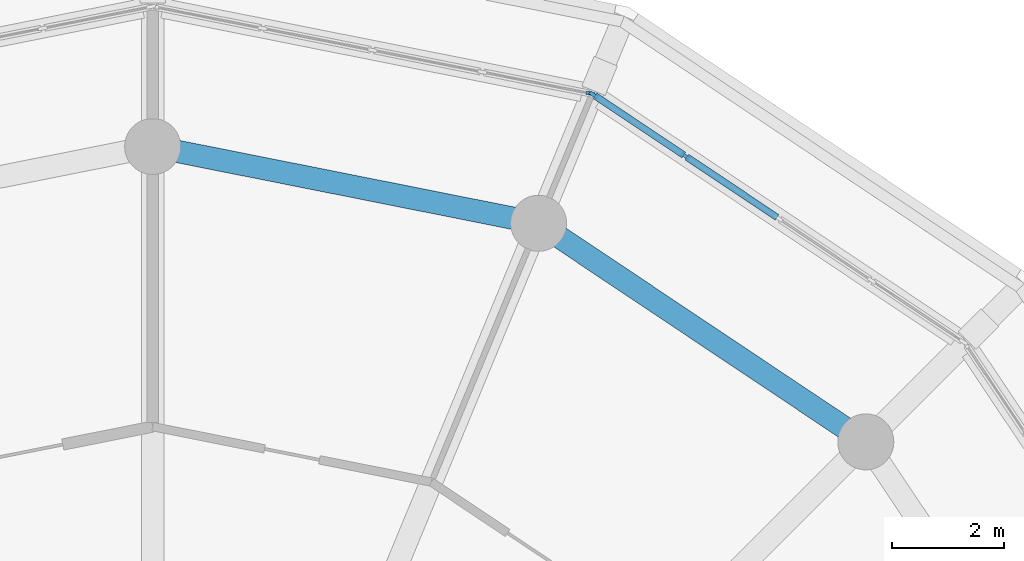
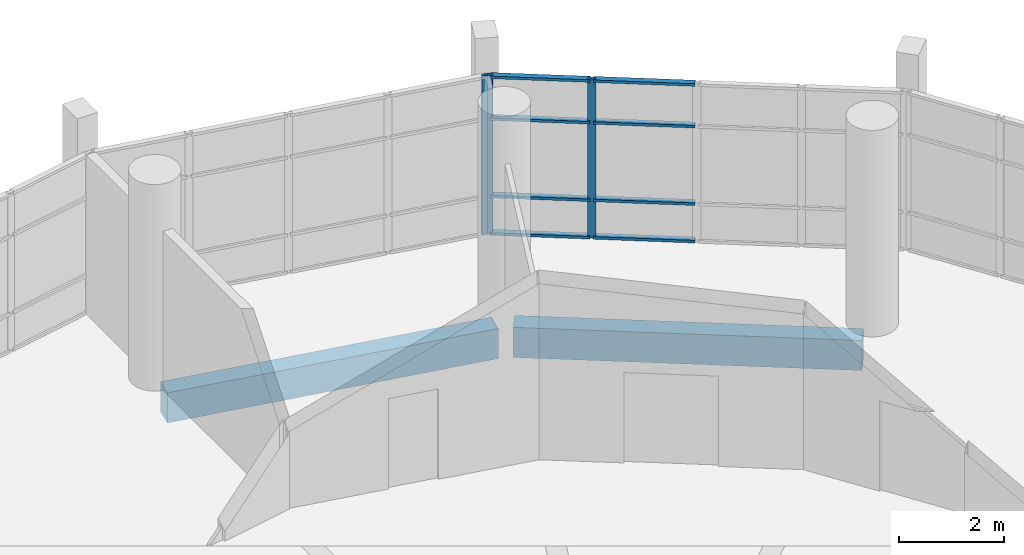
# One storey, part 8 of 40: 11 members, 2 beams, 2 elements without a shape of their own.
"""IFC4 building model written with IfcOpenShell, lengths in metres."""

from ifc_helpers import new_model, si_unit, direction, frame, origin, origin_2d, place, context, subcontext, project, spatial, rectangle, extrude, material, material_profile, profile_set, type_object, element, aggregate, save


model = new_model("IFC4")

# Units and contexts
model_context = context("Model", 3, precision=1e-05, world=origin(), true_north=direction((0.0, 1.0)))
body_context = subcontext(model_context, "Body", "Model", "MODEL_VIEW")
ifc_project = project(units=[si_unit("LENGTHUNIT", "METRE"), si_unit("AREAUNIT", "SQUARE_METRE"), si_unit("VOLUMEUNIT", "CUBIC_METRE"), si_unit("PLANEANGLEUNIT", "RADIAN"), si_unit("MASSUNIT", "GRAM", prefix="KILO")], contexts=[model_context])

# Site, building, storey
site_placement = place(None, origin())
site = spatial("IfcSite", under=ifc_project, at=site_placement, CompositionType="ELEMENT")
building_placement = place(site_placement, origin())
building = spatial("IfcBuilding", under=site, at=building_placement, Name="Ceibo Conservatory and Research Tower", CompositionType="ELEMENT")
storey_placement = place(building_placement, frame((0.0, 0.0, 6.0)))
storey = spatial("IfcBuildingStorey", under=building, at=storey_placement, Name="L01", CompositionType="ELEMENT", Elevation=6.0)

# Curtain wall, members
ifc_material_1 = material(Name="Aluminium and glass", Category="aluminium")
curtain_wall_type = type_object("IfcCurtainWallType", Name="Curtain wall CW1", PredefinedType="NOTDEFINED", material=ifc_material_1)
curtain_wall_1_placement = place(storey_placement, origin())
curtain_wall_1 = element("IfcCurtainWall", 1, at=curtain_wall_1_placement, inside=storey, type_object=curtain_wall_type, Name="CW-01.03", PredefinedType="NOTDEFINED")
ifc_material_2 = material(Name="Aluminium", Category="aluminium")
ifc_material_profile_1 = material_profile(ifc_material_2, rectangle(XDim=0.06005859375, YDim=0.159912109375, at=origin_2d()), Name="Aluminium 60 x 160")
ifc_profile_set_1 = profile_set([ifc_material_profile_1], Name="Aluminium")
member_type_1 = type_object("IfcMemberType", Name="Aluminium mullion 60 x 160", PredefinedType="MULLION", material=ifc_profile_set_1)
member_1_placement = place(storey_placement, frame((57.507568359375, 137.82861328125, 0.0), z_axis=(0.0, 0.0, 1.0), x_axis=(-0.555570178092, -0.831469649004, 0.0)))
member_1 = element("IfcMember", 2, at=member_1_placement, type_object=member_type_1, Name="CW-01.03 mullion 4", PredefinedType="MULLION", context=body_context, shape_type="SweptSolid", body=[
    extrude(rectangle(XDim=0.06005859375, YDim=0.159912109375, at=origin_2d()), origin(), (0.0, 0.0, 1.0), 3.699951171875),
])
member_2_placement = place(storey_placement, frame((55.869873046875, 138.9228515625, 0.0), z_axis=(0.0, 0.0, 1.0), x_axis=(-0.555570178092, -0.831469649004, 0.0)))
member_2 = element("IfcMember", 3, at=member_2_placement, type_object=member_type_1, Name="CW-01.03 mullion 5", PredefinedType="MULLION", context=body_context, shape_type="SweptSolid", body=[
    extrude(rectangle(XDim=0.06005859375, YDim=0.159912109375, at=origin_2d()), origin(), (0.0, 0.0, 1.0), 3.699951171875),
])

# Curtain wall, member
curtain_wall_2_placement = place(storey_placement, origin())
curtain_wall_2 = element("IfcCurtainWall", 4, at=curtain_wall_2_placement, inside=storey, type_object=curtain_wall_type, Name="CW-01.04", PredefinedType="NOTDEFINED")
member_3_placement = place(storey_placement, frame((55.815673828125, 138.9453125, 0.0), z_axis=(0.0, 0.0, 1.0), x_axis=(-0.195090380799, -0.980785268711, 0.0)))
member_3 = element("IfcMember", 5, at=member_3_placement, type_object=member_type_1, Name="CW-01.04 mullion 1", PredefinedType="MULLION", context=body_context, shape_type="SweptSolid", body=[
    extrude(rectangle(XDim=0.06005859375, YDim=0.159912109375, at=origin_2d()), origin(), (0.0, 0.0, 1.0), 3.699951171875),
])
aggregate(curtain_wall_2, [member_3])

# Member
ifc_material_profile_2 = material_profile(ifc_material_2, rectangle(XDim=0.1201171875, YDim=0.06005859375, at=origin_2d()), Name="Aluminium 60 x 120")
ifc_profile_set_2 = profile_set([ifc_material_profile_2], Name="Aluminium")
member_type_2 = type_object("IfcMemberType", Name="Aluminium transom 60 x 120", PredefinedType="USERDEFINED", material=ifc_profile_set_2)
member_4_placement = place(storey_placement, frame((59.1455078125, 136.734375, 0.030029296875), z_axis=(-0.831468919367, 0.55557127007, 0.0), x_axis=(-0.55557127007, -0.831468919367, 0.0)))
member_4 = element("IfcMember", 6, at=member_4_placement, type_object=member_type_2, Name="CW-01.03 transom 3.1", ObjectType="TRANSOM", PredefinedType="USERDEFINED", context=body_context, shape_type="SweptSolid", body=[
    extrude(rectangle(XDim=0.1201171875, YDim=0.06005859375, at=origin_2d()), origin(), (0.0, 0.0, 1.0), 1.939697265625),
])

member_5_placement = place(storey_placement, frame((59.1455078125, 136.734375, 0.89990234375), z_axis=(-0.831468919367, 0.55557127007, 0.0), x_axis=(-0.55557127007, -0.831468919367, 0.0)))
member_5 = element("IfcMember", 7, at=member_5_placement, type_object=member_type_2, Name="CW-01.03 transom 3.2", ObjectType="TRANSOM", PredefinedType="USERDEFINED", context=body_context, shape_type="SweptSolid", body=[
    extrude(rectangle(XDim=0.1201171875, YDim=0.06005859375, at=origin_2d()), origin(), (0.0, 0.0, 1.0), 1.939697265625),
])

member_6_placement = place(storey_placement, frame((59.1455078125, 136.734375, 2.699951171875), z_axis=(-0.831468919367, 0.55557127007, 0.0), x_axis=(-0.55557127007, -0.831468919367, 0.0)))
member_6 = element("IfcMember", 8, at=member_6_placement, type_object=member_type_2, Name="CW-01.03 transom 3.3", ObjectType="TRANSOM", PredefinedType="USERDEFINED", context=body_context, shape_type="SweptSolid", body=[
    extrude(rectangle(XDim=0.1201171875, YDim=0.06005859375, at=origin_2d()), origin(), (0.0, 0.0, 1.0), 1.939697265625),
])

member_7_placement = place(storey_placement, frame((59.1455078125, 136.734375, 3.669921875), z_axis=(-0.831468919367, 0.55557127007, 0.0), x_axis=(-0.55557127007, -0.831468919367, 0.0)))
member_7 = element("IfcMember", 9, at=member_7_placement, type_object=member_type_2, Name="CW-01.03 transom 3.4", ObjectType="TRANSOM", PredefinedType="USERDEFINED", context=body_context, shape_type="SweptSolid", body=[
    extrude(rectangle(XDim=0.1201171875, YDim=0.06005859375, at=origin_2d()), origin(), (0.0, 0.0, 1.0), 1.939697265625),
])

member_8_placement = place(storey_placement, frame((57.482666015625, 137.84521484375, 0.030029296875), z_axis=(-0.831420334371, 0.555643975577, 0.0), x_axis=(-0.555643975577, -0.831420334371, 0.0)))
member_8 = element("IfcMember", 10, at=member_8_placement, type_object=member_type_2, Name="CW-01.03 transom 4.1", ObjectType="TRANSOM", PredefinedType="USERDEFINED", context=body_context, shape_type="SweptSolid", body=[
    extrude(rectangle(XDim=0.1201171875, YDim=0.06005859375, at=origin_2d()), origin(), (0.0, 0.0, 1.0), 1.90966796875),
])

member_9_placement = place(storey_placement, frame((57.482666015625, 137.84521484375, 0.89990234375), z_axis=(-0.831420334371, 0.555643975577, 0.0), x_axis=(-0.555643975577, -0.831420334371, 0.0)))
member_9 = element("IfcMember", 11, at=member_9_placement, type_object=member_type_2, Name="CW-01.03 transom 4.2", ObjectType="TRANSOM", PredefinedType="USERDEFINED", context=body_context, shape_type="SweptSolid", body=[
    extrude(rectangle(XDim=0.1201171875, YDim=0.06005859375, at=origin_2d()), origin(), (0.0, 0.0, 1.0), 1.90966796875),
])

member_10_placement = place(storey_placement, frame((57.482666015625, 137.84521484375, 2.699951171875), z_axis=(-0.831420334371, 0.555643975577, 0.0), x_axis=(-0.555643975577, -0.831420334371, 0.0)))
member_10 = element("IfcMember", 12, at=member_10_placement, type_object=member_type_2, Name="CW-01.03 transom 4.3", ObjectType="TRANSOM", PredefinedType="USERDEFINED", context=body_context, shape_type="SweptSolid", body=[
    extrude(rectangle(XDim=0.1201171875, YDim=0.06005859375, at=origin_2d()), origin(), (0.0, 0.0, 1.0), 1.90966796875),
])

member_11_placement = place(storey_placement, frame((57.482666015625, 137.84521484375, 3.669921875), z_axis=(-0.831420334371, 0.555643975577, 0.0), x_axis=(-0.555643975577, -0.831420334371, 0.0)))
member_11 = element("IfcMember", 13, at=member_11_placement, type_object=member_type_2, Name="CW-01.03 transom 4.4", ObjectType="TRANSOM", PredefinedType="USERDEFINED", context=body_context, shape_type="SweptSolid", body=[
    extrude(rectangle(XDim=0.1201171875, YDim=0.06005859375, at=origin_2d()), origin(), (0.0, 0.0, 1.0), 1.90966796875),
])

aggregate(curtain_wall_1, [member_1, member_2, member_4, member_5, member_6, member_7, member_8, member_9, member_10, member_11])

# Beams
ifc_material_3 = material(Name="Concrete C35/45", Category="concrete")
ifc_material_profile_3 = material_profile(ifc_material_3, rectangle(XDim=0.39990234375, YDim=0.699951171875, at=origin_2d()), Name="RC 400x700")
ifc_profile_set_3 = profile_set([ifc_material_profile_3], Name="Concrete C35/45")
beam_type = type_object("IfcBeamType", Name="RC beam 400x700 C35", PredefinedType="BEAM", material=ifc_profile_set_3)
beam_1_placement = place(storey_placement, frame((60.574951171875, 132.830078125, -0.64990234375), z_axis=(-0.83146854485, 0.555571830572, 0.0), x_axis=(-0.555571830572, -0.83146854485, 0.0)))
element("IfcBeam", 14, at=beam_1_placement, inside=storey, type_object=beam_type, Name="Ring beam 03 L01", PredefinedType="BEAM", context=body_context, shape_type="SweptSolid", body=[
    extrude(rectangle(XDim=0.39990234375, YDim=0.699951171875, at=origin_2d()), origin(), (0.0, 0.0, 1.0), 6.6552734375),
])
beam_2_placement = place(storey_placement, frame((54.7080078125, 136.665771484375, -0.64990234375), z_axis=(-0.980787526167, 0.19507903146, 0.0), x_axis=(-0.19507903146, -0.980787526167, 0.0)))
element("IfcBeam", 15, at=beam_2_placement, inside=storey, type_object=beam_type, Name="Ring beam 04 L01", PredefinedType="BEAM", context=body_context, shape_type="SweptSolid", body=[
    extrude(rectangle(XDim=0.39990234375, YDim=0.699951171875, at=origin_2d()), origin(), (0.0, 0.0, 1.0), 6.655517578125),
])

save(model, "model.ifc")
